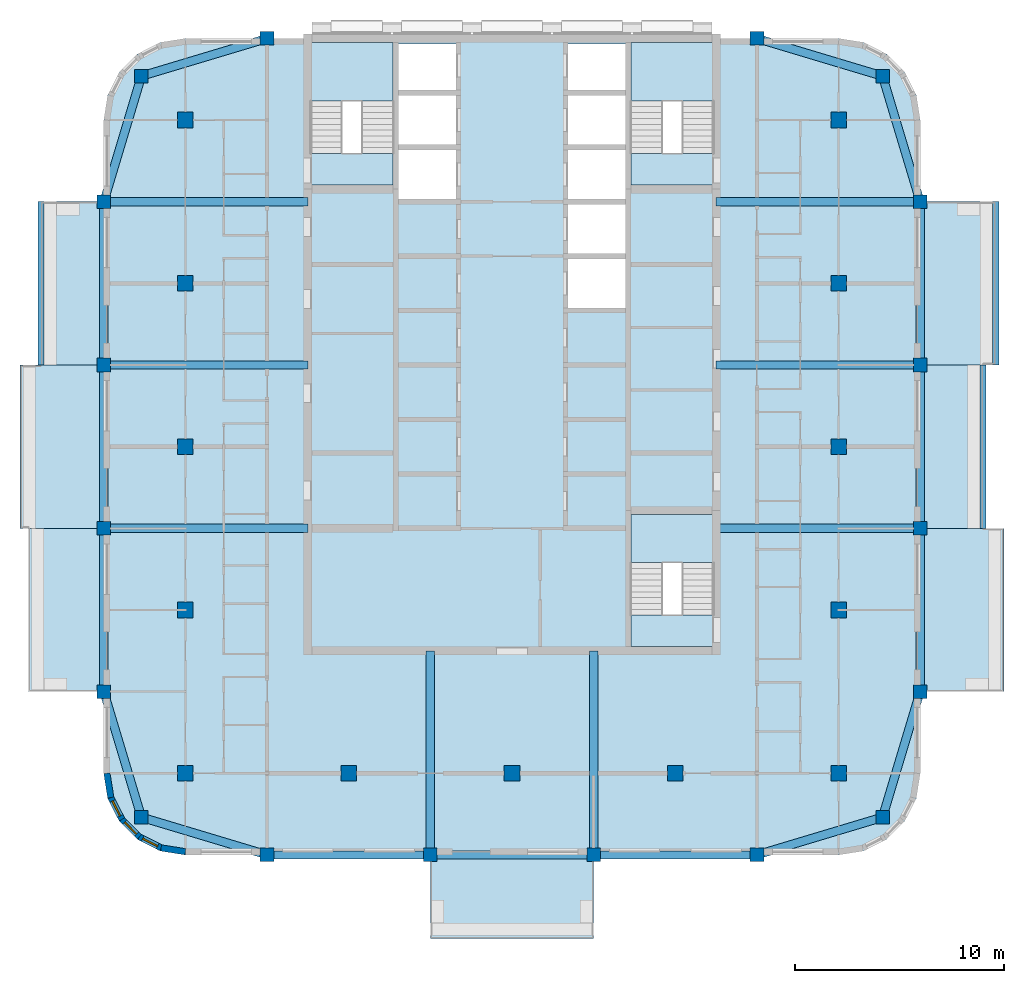
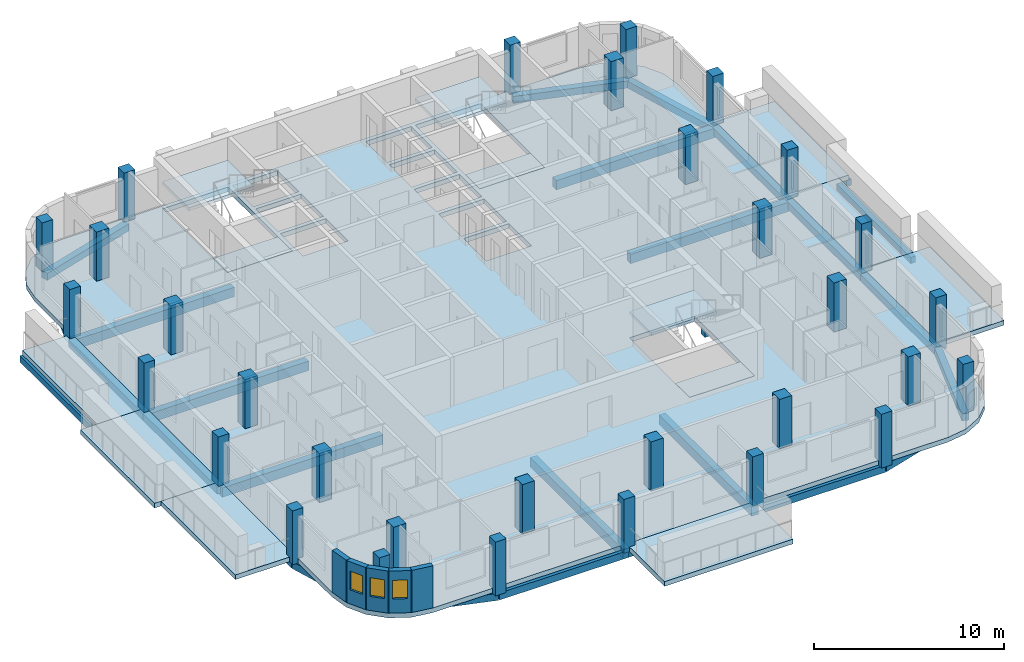
# One storey, part 1 of 13: 31 columns, 28 beams, 14 slabs, 5 walls, 3 windows, 3 openings, 3 elements without a shape of their own.
"""IFC4 building model written with IfcOpenShell, lengths in metres."""

import ifcopenshell
import ifcopenshell.guid

model = None  # the IFC model being written
_history = None  # IfcOwnerHistory: only IFC2X3 demands one
_inside = {}  # id of a spatial element -> (the spatial element, [elements in it])
_under = {}  # id of a project, library or spatial element -> (it, [spatial elements below it])
_declared = {}  # id of a project -> (the project, [libraries it declares])
_typed = {}  # id of a type object -> (the type object, [elements of that type])
_made_of = {}  # id of a material, layer set ... -> (it, [elements and type objects made of it])


def new_model(schema):
    """Start an empty IFC model of exactly this schema.

    Asked for "IFC4X3", IfcOpenShell would pick the latest addendum, in which some entities
    have other attributes; the version numbers below select the first issue.
    IFC2X3 requires an IfcOwnerHistory on every rooted entity: one is made here for all.
    """
    global model, _history
    if schema == "IFC4X3":
        model = ifcopenshell.file(schema_version=(4, 3, 0, 0))
    else:
        model = ifcopenshell.file(schema=schema)
    _inside.clear()
    _under.clear()
    _declared.clear()
    _typed.clear()
    _made_of.clear()
    _history = None
    if model.schema == "IFC2X3":
        org = make("IfcOrganization", Name="unknown")
        user = make(
            "IfcPersonAndOrganization",
            ThePerson=make("IfcPerson", FamilyName="unknown"),
            TheOrganization=org,
        )
        app = make(
            "IfcApplication",
            ApplicationDeveloper=org,
            Version="unknown",
            ApplicationFullName="unknown",
            ApplicationIdentifier="unknown",
        )
        _history = make(
            "IfcOwnerHistory",
            OwningUser=user,
            OwningApplication=app,
            ChangeAction="ADDED",
            CreationDate=0,
        )
    return model


def make(cls, **values):
    """One entity of the class cls with the attributes given. An attribute that is None is left unset."""
    return model.create_entity(
        cls, **{name: value for name, value in values.items() if value is not None}
    )


def rooted(cls, **values):
    """An entity with a GlobalId (a new one), such as an element, a storey or a relation."""
    return make(cls, GlobalId=ifcopenshell.guid.new(), OwnerHistory=_history, **values)


def si_unit(unit_type, name, prefix=None):
    """IfcSIUnit, for example si_unit("LENGTHUNIT", "METRE", prefix="MILLI")."""
    return make("IfcSIUnit", UnitType=unit_type, Prefix=prefix, Name=name)


def assignment(units):
    """IfcUnitAssignment: the units of a project."""
    return None if units is None else make("IfcUnitAssignment", Units=units)


def point(xyz):
    """IfcCartesianPoint."""
    return None if xyz is None else make("IfcCartesianPoint", Coordinates=xyz)


def direction(xyz):
    """IfcDirection."""
    return None if xyz is None else make("IfcDirection", DirectionRatios=xyz)


def frame(location, z_axis=None, x_axis=None):
    """IfcAxis2Placement3D, a coordinate frame: its origin and axes. An axis left out is left unset."""
    return make(
        "IfcAxis2Placement3D",
        Location=point(location),
        Axis=direction(z_axis),
        RefDirection=direction(x_axis),
    )


def frame_2d(location, x_axis=None):
    """IfcAxis2Placement2D, a coordinate frame in the plane: its origin and x axis."""
    return make(
        "IfcAxis2Placement2D", Location=point(location), RefDirection=direction(x_axis)
    )


def origin():
    """The frame at (0, 0, 0) with its axes left unset."""
    return frame((0.0, 0.0, 0.0))


def origin_2d():
    """The frame at (0, 0) in the plane with its x axis left unset."""
    return frame_2d((0.0, 0.0))


def place(relative_to, where):
    """IfcLocalPlacement: puts the frame where relative to a parent placement (None: the world)."""
    return make(
        "IfcLocalPlacement", PlacementRelTo=relative_to, RelativePlacement=where
    )


def context(
    kind, dimensions, precision=None, world=None, true_north=None, identifier=None
):
    """IfcGeometricRepresentationContext, for example the 3D "Model" context."""
    return make(
        "IfcGeometricRepresentationContext",
        ContextIdentifier=identifier,
        ContextType=kind,
        CoordinateSpaceDimension=dimensions,
        Precision=precision,
        WorldCoordinateSystem=world,
        TrueNorth=true_north,
    )


def subcontext(parent, identifier, kind, view, scale=None):
    """IfcGeometricRepresentationSubContext, for example "Body" below "Model"."""
    return make(
        "IfcGeometricRepresentationSubContext",
        ContextIdentifier=identifier,
        ContextType=kind,
        ParentContext=parent,
        TargetScale=scale,
        TargetView=view,
    )


def project(units=None, contexts=None):
    """IfcProject with its units and contexts."""
    return rooted(
        "IfcProject",
        Name="project",
        RepresentationContexts=contexts,
        UnitsInContext=assignment(units),
    )


def spatial(cls, under=None, at=None, **own):
    """A site, building, storey or space (cls), placed at a placement, below another one or the project."""
    s = rooted(cls, ObjectPlacement=at, **own)
    if under is not None:
        _under.setdefault(under.id(), (under, []))[1].append(s)
    return s


def polyline(points):
    """IfcPolyline through the points."""
    return make("IfcPolyline", Points=[point(p) for p in points])


def profile(cls, at=None, kind="AREA", **sizes):
    """A parametric profile (cls). Its sizes go by their IFC names, for example OverallWidth=200.0."""
    return make(cls, ProfileType=kind, Position=at, **sizes)


def rectangle(**sizes):
    """IfcRectangleProfileDef."""
    return profile("IfcRectangleProfileDef", **sizes)


def outline(outer, holes=None, kind="AREA"):
    """IfcArbitraryClosedProfileDef: a profile drawn as a closed curve; with holes, ...WithVoids."""
    if holes is None:
        return make("IfcArbitraryClosedProfileDef", ProfileType=kind, OuterCurve=outer)
    return make(
        "IfcArbitraryProfileDefWithVoids",
        ProfileType=kind,
        OuterCurve=outer,
        InnerCurves=holes,
    )


def extrude(swept, where, along, depth):
    """IfcExtrudedAreaSolid: the profile swept, set in the frame where, extruded along a direction by depth."""
    return make(
        "IfcExtrudedAreaSolid",
        SweptArea=swept,
        Position=where,
        ExtrudedDirection=direction(along),
        Depth=depth,
    )


def shape(context_of_items, identifier, shape_type, items):
    """IfcShapeRepresentation: the items that make up one representation, for example the "Body"."""
    return make(
        "IfcShapeRepresentation",
        ContextOfItems=context_of_items,
        RepresentationIdentifier=identifier,
        RepresentationType=shape_type,
        Items=items,
    )


def material(Name=None, Category=None):
    """IfcMaterial."""
    return make("IfcMaterial", Name=Name, Category=Category)


def layer(
    of_material, thickness, ventilated=None, Name=None, Category=None, Priority=None
):
    """IfcMaterialLayer: one layer of a wall or slab, of a material (None: an air gap)."""
    return make(
        "IfcMaterialLayer",
        Material=of_material,
        LayerThickness=thickness,
        IsVentilated=ventilated,
        Name=Name,
        Category=Category,
        Priority=Priority,
    )


def layer_set(layers, Name=None):
    """IfcMaterialLayerSet."""
    return make("IfcMaterialLayerSet", MaterialLayers=layers, LayerSetName=Name)


def material_profile(
    of_material, cross_section, Name=None, Category=None, Priority=None
):
    """IfcMaterialProfile: a cross section and its material."""
    return make(
        "IfcMaterialProfile",
        Name=Name,
        Material=of_material,
        Profile=cross_section,
        Priority=Priority,
        Category=Category,
    )


def profile_set(profiles, Name=None, composite=None):
    """IfcMaterialProfileSet."""
    return make(
        "IfcMaterialProfileSet",
        Name=Name,
        MaterialProfiles=profiles,
        CompositeProfile=composite,
    )


def made_of(thing, what):
    """Note that an element or type object is made of a material, layer set ...; save() writes the relation."""
    if what is not None:
        _made_of.setdefault(what.id(), (what, []))[1].append(thing)
    return thing


def type_object(cls, material=None, **own):
    """A type object (cls), such as IfcWallType, which elements share."""
    return made_of(rooted(cls, **own), material)


def element(
    cls,
    number,
    at=None,
    inside=None,
    cuts=None,
    type_object=None,
    material=None,
    context=None,
    identifier="Body",
    shape_type=None,
    held_by="IfcProductDefinitionShape",
    body=None,
    shapes=None,
    **own,
):
    """One element of the class cls, such as IfcWall. Its Tag is "e" and its number.

    at: its placement. inside: the storey or other place that contains it. cuts: it is an
    opening in that element (IfcRelVoidsElement). A single representation is given by context,
    identifier, shape_type and body (its items); several are given by shapes. held_by: the class
    of the entity that holds the representations. save() writes the other relations.
    """
    e = rooted(cls, Tag="e%d" % number, ObjectPlacement=at, **own)
    if body is not None:
        shapes = [shape(context, identifier, shape_type, body)]
    if shapes is not None:
        e.Representation = make(held_by, Representations=shapes)
    if inside is not None:
        _inside.setdefault(inside.id(), (inside, []))[1].append(e)
    if cuts is not None:
        rooted(
            "IfcRelVoidsElement", RelatingBuildingElement=cuts, RelatedOpeningElement=e
        )
    if type_object is not None:
        _typed.setdefault(type_object.id(), (type_object, []))[1].append(e)
    return made_of(e, material)


def fill(opening, filler):
    """IfcRelFillsElement: the door or window that sits in an opening."""
    return rooted(
        "IfcRelFillsElement",
        RelatingOpeningElement=opening,
        RelatedBuildingElement=filler,
    )


def aggregate(whole, parts):
    """IfcRelAggregates: a whole, such as a stair, and the parts it consists of."""
    return rooted("IfcRelAggregates", RelatingObject=whole, RelatedObjects=parts)


def save(model, path):
    """Write the relations noted so far, then the file.

    IfcRelAggregates (storeys below a building ...), IfcRelContainedInSpatialStructure (elements
    in a storey), IfcRelDefinesByType, IfcRelAssociatesMaterial and IfcRelDeclares: one each for
    every whole, place, type object, material and project.
    """
    for whole, parts in _under.values():
        aggregate(whole, parts)
    for where, things in _inside.values():
        rooted(
            "IfcRelContainedInSpatialStructure",
            RelatedElements=things,
            RelatingStructure=where,
        )
    for kind, things in _typed.values():
        rooted("IfcRelDefinesByType", RelatedObjects=things, RelatingType=kind)
    for what, things in _made_of.values():
        rooted("IfcRelAssociatesMaterial", RelatedObjects=things, RelatingMaterial=what)
    for by, libraries in _declared.values():
        rooted("IfcRelDeclares", RelatingContext=by, RelatedDefinitions=libraries)
    model.write(path)


model = new_model("IFC4")

# Units and contexts
model_context = context("Model", 3, precision=1e-05, world=origin(), true_north=direction((0.0, 1.0)))
body_context = subcontext(model_context, "Body", "Model", "MODEL_VIEW")
ifc_project = project(units=[si_unit("LENGTHUNIT", "METRE"), si_unit("AREAUNIT", "SQUARE_METRE"), si_unit("VOLUMEUNIT", "CUBIC_METRE"), si_unit("PLANEANGLEUNIT", "RADIAN"), si_unit("MASSUNIT", "GRAM", prefix="KILO")], contexts=[model_context])

# Site, building, storey
site_placement = place(None, origin())
site = spatial("IfcSite", under=ifc_project, at=site_placement, CompositionType="ELEMENT")
building_placement = place(site_placement, origin())
building = spatial("IfcBuilding", under=site, at=building_placement, Name="Ludao Terraces", CompositionType="ELEMENT")
storey_placement = place(building_placement, frame((0.0, 0.0, 246.0)))
storey = spatial("IfcBuildingStorey", under=building, at=storey_placement, Name="L67", CompositionType="ELEMENT", Elevation=246.0)

# Columns
ifc_material_1 = material(Name="Concrete C40", Category="concrete")
ifc_material_profile_1 = material_profile(ifc_material_1, rectangle(XDim=0.64990234375, YDim=0.64990234375, at=origin_2d()), Name="650 X 650")
ifc_profile_set_1 = profile_set([ifc_material_profile_1], Name="Concrete C40")
column_type_1 = type_object("IfcColumnType", Name="RC column 650x650 C40", PredefinedType="COLUMN", material=ifc_profile_set_1)
for number, where, z_axis, x_axis, name in (
    (1, (67.300048828125, 47.300048828125, -0.300048828125), (0.0, 0.0, 1.0), (1.0, 0.0, 0.0), "Column L67 C0057x0057"),
    (2, (102.699951171875, 47.300048828125, -0.300048828125), (0.0, 0.0, 1.0), (1.0, 0.0, 0.0), "Column L67 C0411x0057"),
    (3, (67.300048828125, 82.699951171875, -0.300048828125), (0.0, 0.0, 1.0), (1.0, 0.0, 0.0), "Column L67 C0057x0411"),
    (4, (102.699951171875, 82.699951171875, -0.300048828125), (0.0, 0.0, 1.0), (1.0, 0.0, 0.0), "Column L67 C0411x0411"),
    (5, (65.5, 53.300048828125, -0.300048828125), (0.0, 0.0, 1.0), (1.0, 0.0, 0.0), "Column L67 W0039x0117"),
    (6, (104.5, 53.300048828125, -0.300048828125), (0.0, 0.0, 1.0), (1.0, 0.0, 0.0), "Column L67 W0429x0117"),
    (7, (73.300048828125, 45.5, -0.300048828125), (0.0, 0.0, 1.0), (1.0, 0.0, 0.0), "Column L67 W0117x0039"),
    (8, (73.300048828125, 84.5, -0.300048828125), (0.0, 0.0, 1.0), (1.0, 0.0, 0.0), "Column L67 W0117x0429"),
    (9, (65.5, 61.10009765625, -0.300048828125), (0.0, 0.0, 1.0), (1.0, 0.0, 0.0), "Column L67 W0039x0195"),
    (10, (104.5, 61.10009765625, -0.300048828125), (0.0, 0.0, 1.0), (1.0, 0.0, 0.0), "Column L67 W0429x0195"),
    (11, (81.10009765625, 45.5, -0.300048828125), (0.0, 0.0, 1.0), (1.0, 0.0, 0.0), "Column L67 W0195x0039"),
    (12, (65.5, 68.89990234375, -0.300048828125), (0.0, 0.0, 1.0), (1.0, 0.0, 0.0), "Column L67 W0039x0273"),
    (13, (104.5, 68.89990234375, -0.300048828125), (0.0, 0.0, 1.0), (1.0, 0.0, 0.0), "Column L67 W0429x0273"),
    (14, (88.89990234375, 45.5, -0.300048828125), (0.0, 0.0, 1.0), (1.0, 0.0, 0.0), "Column L67 W0273x0039"),
    (15, (65.5, 76.699951171875, -0.300048828125), (0.0, 0.0, 1.0), (1.0, 0.0, 0.0), "Column L67 W0039x0351"),
    (16, (104.5, 76.699951171875, -0.300048828125), (0.0, 0.0, 1.0), (1.0, 0.0, 0.0), "Column L67 W0429x0351"),
    (17, (96.699951171875, 45.5, -0.300048828125), (0.0, 0.0, 1.0), (1.0, 0.0, 0.0), "Column L67 W0351x0039"),
    (18, (96.699951171875, 84.5, -0.300048828125), (0.0, 0.0, 1.0), (1.0, 0.0, 0.0), "Column L67 W0351x0429"),
):
    element("IfcColumn", number, at=place(storey_placement, frame(where, z_axis=z_axis, x_axis=x_axis)), inside=storey, type_object=column_type_1, Name=name, PredefinedType="COLUMN", context=body_context, shape_type="SweptSolid", body=[
        extrude(rectangle(XDim=0.64990234375, YDim=0.64990234375, at=origin_2d()), origin(), (0.0, 0.0, 1.0), 3.449951171875),
    ])
ifc_material_profile_2 = material_profile(ifc_material_1, rectangle(XDim=0.75, YDim=0.75, at=origin_2d()), Name="750 X 750")
ifc_profile_set_2 = profile_set([ifc_material_profile_2], Name="Concrete C40")
column_type_2 = type_object("IfcColumnType", Name="RC column 750x750 C40", PredefinedType="COLUMN", material=ifc_profile_set_2)
for number, where, z_axis, x_axis, name in (
    (19, (69.39990234375, 49.39990234375, -0.300048828125), (0.0, 0.0, 1.0), (1.0, 0.0, 0.0), "Column L67 S0078x0078"),
    (20, (69.39990234375, 57.199951171875, -0.300048828125), (0.0, 0.0, 1.0), (1.0, 0.0, 0.0), "Column L67 S0078x0156"),
    (21, (69.39990234375, 65.0, -0.300048828125), (0.0, 0.0, 1.0), (1.0, 0.0, 0.0), "Column L67 S0078x0234"),
    (22, (69.39990234375, 72.800048828125, -0.300048828125), (0.0, 0.0, 1.0), (1.0, 0.0, 0.0), "Column L67 S0078x0312"),
    (23, (69.39990234375, 80.60009765625, -0.300048828125), (0.0, 0.0, 1.0), (1.0, 0.0, 0.0), "Column L67 S0078x0390"),
    (24, (77.199951171875, 49.39990234375, -0.300048828125), (0.0, 0.0, 1.0), (1.0, 0.0, 0.0), "Column L67 S0156x0078"),
    (25, (85.0, 49.39990234375, -0.300048828125), (0.0, 0.0, 1.0), (1.0, 0.0, 0.0), "Column L67 S0234x0078"),
    (26, (92.800048828125, 49.39990234375, -0.300048828125), (0.0, 0.0, 1.0), (1.0, 0.0, 0.0), "Column L67 S0312x0078"),
    (27, (100.60009765625, 49.39990234375, -0.300048828125), (0.0, 0.0, 1.0), (1.0, 0.0, 0.0), "Column L67 S0390x0078"),
    (28, (100.60009765625, 57.199951171875, -0.300048828125), (0.0, 0.0, 1.0), (1.0, 0.0, 0.0), "Column L67 S0390x0156"),
    (29, (100.60009765625, 65.0, -0.300048828125), (0.0, 0.0, 1.0), (1.0, 0.0, 0.0), "Column L67 S0390x0234"),
    (30, (100.60009765625, 72.800048828125, -0.300048828125), (0.0, 0.0, 1.0), (1.0, 0.0, 0.0), "Column L67 S0390x0312"),
    (31, (100.60009765625, 80.60009765625, -0.300048828125), (0.0, 0.0, 1.0), (1.0, 0.0, 0.0), "Column L67 S0390x0390"),
):
    element("IfcColumn", number, at=place(storey_placement, frame(where, z_axis=z_axis, x_axis=x_axis)), inside=storey, type_object=column_type_2, Name=name, PredefinedType="COLUMN", context=body_context, shape_type="SweptSolid", body=[
        extrude(rectangle(XDim=0.75, YDim=0.75, at=origin_2d()), origin(), (0.0, 0.0, 1.0), 3.449951171875),
    ])

# Beams
ifc_material_profile_3 = material_profile(ifc_material_1, rectangle(XDim=0.300048828125, YDim=0.39990234375, at=origin_2d()), Name="300 X 400")
ifc_profile_set_3 = profile_set([ifc_material_profile_3], Name="Concrete C40")
beam_type_1 = type_object("IfcBeamType", Name="RC beam 300x400 C40", PredefinedType="BEAM", material=ifc_profile_set_3)
beam_1_placement = place(storey_placement, frame((107.5, 61.10009765625, -0.5), z_axis=(0.0, 1.0, 0.0), x_axis=(-1.0, 0.0, 0.0)))
element("IfcBeam", 32, at=beam_1_placement, inside=storey, type_object=beam_type_1, Name="Balcony edge beam L67 E2", PredefinedType="BEAM", context=body_context, shape_type="SweptSolid", body=[
    extrude(rectangle(XDim=0.300048828125, YDim=0.39990234375, at=origin_2d()), origin(), (0.0, 0.0, 1.0), 7.7998046875),
])
for number, where, z_axis, x_axis, name in (
    (33, (108.10009765625, 68.89990234375, -0.5), (0.0, 1.0, 0.0), (-1.0, 0.0, 0.0), "Balcony edge beam L67 E3"),
    (34, (62.5, 68.89990234375, -0.5), (0.0, 1.0, 0.0), (-1.0, 0.0, 0.0), "Balcony edge beam L67 W3"),
):
    element("IfcBeam", number, at=place(storey_placement, frame(where, z_axis=z_axis, x_axis=x_axis)), inside=storey, type_object=beam_type_1, Name=name, PredefinedType="BEAM", context=body_context, shape_type="SweptSolid", body=[
        extrude(rectangle(XDim=0.300048828125, YDim=0.39990234375, at=origin_2d()), origin(), (0.0, 0.0, 1.0), 7.800048828125),
    ])
ifc_material_profile_4 = material_profile(ifc_material_1, rectangle(XDim=0.39990234375, YDim=0.449951171875, at=origin_2d()), Name="400 X 450")
ifc_profile_set_4 = profile_set([ifc_material_profile_4], Name="Concrete C40")
beam_type_2 = type_object("IfcBeamType", Name="RC beam 400x450 C40", PredefinedType="BEAM", material=ifc_profile_set_4)
beam_2_placement = place(storey_placement, frame((67.300048828125, 47.300048828125, -0.52490234375), z_axis=(0.957824139839, -0.287355036744, 0.0), x_axis=(0.287355036744, 0.957824139839, 0.0)))
element("IfcBeam", 35, at=beam_2_placement, inside=storey, type_object=beam_type_2, Name="Spandrel beam L67 S1", PredefinedType="BEAM", context=body_context, shape_type="SweptSolid", body=[
    extrude(rectangle(XDim=0.39990234375, YDim=0.449951171875, at=origin_2d()), origin(), (0.0, 0.0, 1.0), 6.26416015625),
])
beam_3_placement = place(storey_placement, frame((73.300048828125, 45.5, -0.52490234375), z_axis=(1.0, 0.0, 0.0), x_axis=(0.0, 1.0, 0.0)))
element("IfcBeam", 36, at=beam_3_placement, inside=storey, type_object=beam_type_2, Name="Spandrel beam L67 S2", PredefinedType="BEAM", context=body_context, shape_type="SweptSolid", body=[
    extrude(rectangle(XDim=0.39990234375, YDim=0.449951171875, at=origin_2d()), origin(), (0.0, 0.0, 1.0), 7.800048828125),
])
beam_4_placement = place(storey_placement, frame((81.10009765625, 45.5, -0.52490234375), z_axis=(1.0, 0.0, 0.0), x_axis=(0.0, 1.0, 0.0)))
element("IfcBeam", 37, at=beam_4_placement, inside=storey, type_object=beam_type_2, Name="Spandrel beam L67 S3", PredefinedType="BEAM", context=body_context, shape_type="SweptSolid", body=[
    extrude(rectangle(XDim=0.39990234375, YDim=0.449951171875, at=origin_2d()), origin(), (0.0, 0.0, 1.0), 7.7998046875),
])
beam_5_placement = place(storey_placement, frame((88.89990234375, 45.5, -0.52490234375), z_axis=(1.0, 0.0, 0.0), x_axis=(0.0, 1.0, 0.0)))
element("IfcBeam", 38, at=beam_5_placement, inside=storey, type_object=beam_type_2, Name="Spandrel beam L67 S4", PredefinedType="BEAM", context=body_context, shape_type="SweptSolid", body=[
    extrude(rectangle(XDim=0.39990234375, YDim=0.449951171875, at=origin_2d()), origin(), (0.0, 0.0, 1.0), 7.800048828125),
])
for number, where, z_axis, x_axis, name in (
    (39, (96.699951171875, 45.5, -0.52490234375), (0.957824139839, 0.287355036744, 0.0), (-0.287355036744, 0.957824139839, 0.0), "Spandrel beam L67 S5"),
    (40, (67.300048828125, 82.699951171875, -0.52490234375), (0.957824139839, 0.287355036744, 0.0), (-0.287355036744, 0.957824139839, 0.0), "Spandrel beam L67 N6"),
    (41, (96.699951171875, 84.5, -0.52490234375), (0.957824139839, -0.287355036744, 0.0), (0.287355036744, 0.957824139839, 0.0), "Spandrel beam L67 N7"),
    (42, (67.300048828125, 47.300048828125, -0.52490234375), (-0.287355036744, 0.957824139839, 0.0), (-0.957824139839, -0.287355036744, 0.0), "Spandrel beam L67 W8"),
):
    element("IfcBeam", number, at=place(storey_placement, frame(where, z_axis=z_axis, x_axis=x_axis)), inside=storey, type_object=beam_type_2, Name=name, PredefinedType="BEAM", context=body_context, shape_type="SweptSolid", body=[
        extrude(rectangle(XDim=0.39990234375, YDim=0.449951171875, at=origin_2d()), origin(), (0.0, 0.0, 1.0), 6.26416015625),
    ])
beam_6_placement = place(storey_placement, frame((65.5, 53.300048828125, -0.52490234375), z_axis=(0.0, 1.0, 0.0), x_axis=(-1.0, 0.0, 0.0)))
element("IfcBeam", 43, at=beam_6_placement, inside=storey, type_object=beam_type_2, Name="Spandrel beam L67 W9", PredefinedType="BEAM", context=body_context, shape_type="SweptSolid", body=[
    extrude(rectangle(XDim=0.39990234375, YDim=0.449951171875, at=origin_2d()), origin(), (0.0, 0.0, 1.0), 7.800048828125),
])
beam_7_placement = place(storey_placement, frame((65.5, 61.10009765625, -0.52490234375), z_axis=(0.0, 1.0, 0.0), x_axis=(-1.0, 0.0, 0.0)))
element("IfcBeam", 44, at=beam_7_placement, inside=storey, type_object=beam_type_2, Name="Spandrel beam L67 W10", PredefinedType="BEAM", context=body_context, shape_type="SweptSolid", body=[
    extrude(rectangle(XDim=0.39990234375, YDim=0.449951171875, at=origin_2d()), origin(), (0.0, 0.0, 1.0), 7.7998046875),
])
beam_8_placement = place(storey_placement, frame((65.5, 68.89990234375, -0.52490234375), z_axis=(0.0, 1.0, 0.0), x_axis=(-1.0, 0.0, 0.0)))
element("IfcBeam", 45, at=beam_8_placement, inside=storey, type_object=beam_type_2, Name="Spandrel beam L67 W11", PredefinedType="BEAM", context=body_context, shape_type="SweptSolid", body=[
    extrude(rectangle(XDim=0.39990234375, YDim=0.449951171875, at=origin_2d()), origin(), (0.0, 0.0, 1.0), 7.800048828125),
])
for number, where, z_axis, x_axis, name in (
    (46, (65.5, 76.699951171875, -0.52490234375), (0.287355036744, 0.957824139839, 0.0), (-0.957824139839, 0.287355036744, 0.0), "Spandrel beam L67 W12"),
    (47, (102.699951171875, 47.300048828125, -0.52490234375), (0.287355036744, 0.957824139839, 0.0), (-0.957824139839, 0.287355036744, 0.0), "Spandrel beam L67 E13"),
):
    element("IfcBeam", number, at=place(storey_placement, frame(where, z_axis=z_axis, x_axis=x_axis)), inside=storey, type_object=beam_type_2, Name=name, PredefinedType="BEAM", context=body_context, shape_type="SweptSolid", body=[
        extrude(rectangle(XDim=0.39990234375, YDim=0.449951171875, at=origin_2d()), origin(), (0.0, 0.0, 1.0), 6.26416015625),
    ])
beam_9_placement = place(storey_placement, frame((104.5, 53.300048828125, -0.52490234375), z_axis=(0.0, 1.0, 0.0), x_axis=(-1.0, 0.0, 0.0)))
element("IfcBeam", 48, at=beam_9_placement, inside=storey, type_object=beam_type_2, Name="Spandrel beam L67 E14", PredefinedType="BEAM", context=body_context, shape_type="SweptSolid", body=[
    extrude(rectangle(XDim=0.39990234375, YDim=0.449951171875, at=origin_2d()), origin(), (0.0, 0.0, 1.0), 7.800048828125),
])
beam_10_placement = place(storey_placement, frame((104.5, 61.10009765625, -0.52490234375), z_axis=(0.0, 1.0, 0.0), x_axis=(-1.0, 0.0, 0.0)))
element("IfcBeam", 49, at=beam_10_placement, inside=storey, type_object=beam_type_2, Name="Spandrel beam L67 E15", PredefinedType="BEAM", context=body_context, shape_type="SweptSolid", body=[
    extrude(rectangle(XDim=0.39990234375, YDim=0.449951171875, at=origin_2d()), origin(), (0.0, 0.0, 1.0), 7.7998046875),
])
beam_11_placement = place(storey_placement, frame((104.5, 68.89990234375, -0.52490234375), z_axis=(0.0, 1.0, 0.0), x_axis=(-1.0, 0.0, 0.0)))
element("IfcBeam", 50, at=beam_11_placement, inside=storey, type_object=beam_type_2, Name="Spandrel beam L67 E16", PredefinedType="BEAM", context=body_context, shape_type="SweptSolid", body=[
    extrude(rectangle(XDim=0.39990234375, YDim=0.449951171875, at=origin_2d()), origin(), (0.0, 0.0, 1.0), 7.800048828125),
])
beam_12_placement = place(storey_placement, frame((104.5, 76.699951171875, -0.52490234375), z_axis=(-0.287355036744, 0.957824139839, 0.0), x_axis=(-0.957824139839, -0.287355036744, 0.0)))
element("IfcBeam", 51, at=beam_12_placement, inside=storey, type_object=beam_type_2, Name="Spandrel beam L67 E17", PredefinedType="BEAM", context=body_context, shape_type="SweptSolid", body=[
    extrude(rectangle(XDim=0.39990234375, YDim=0.449951171875, at=origin_2d()), origin(), (0.0, 0.0, 1.0), 6.26416015625),
])
ifc_material_profile_5 = material_profile(ifc_material_1, rectangle(XDim=0.39990234375, YDim=0.60009765625, at=origin_2d()), Name="400 X 600")
ifc_profile_set_5 = profile_set([ifc_material_profile_5], Name="Concrete C40")
beam_type_3 = type_object("IfcBeamType", Name="RC beam 400x600 C40", PredefinedType="BEAM", material=ifc_profile_set_5)
for number, where, z_axis, x_axis, name in (
    (52, (94.75, 61.10009765625, -0.60009765625), (1.0, 0.0, 0.0), (0.0, 1.0, 0.0), "Balcony beam L67 E611"),
    (53, (94.75, 68.89990234375, -0.60009765625), (1.0, 0.0, 0.0), (0.0, 1.0, 0.0), "Balcony beam L67 E689"),
    (54, (94.75, 76.699951171875, -0.60009765625), (1.0, 0.0, 0.0), (0.0, 1.0, 0.0), "Balcony beam L67 E767"),
    (55, (81.10009765625, 55.25, -0.60009765625), (0.0, -1.0, 0.0), (1.0, 0.0, 0.0), "Balcony beam L67 S811"),
    (56, (88.89990234375, 55.25, -0.60009765625), (0.0, -1.0, 0.0), (1.0, 0.0, 0.0), "Balcony beam L67 S889"),
    (57, (75.25, 61.10009765625, -0.60009765625), (-1.0, 0.0, 0.0), (0.0, -1.0, 0.0), "Balcony beam L67 W611"),
    (58, (75.25, 68.89990234375, -0.60009765625), (-1.0, 0.0, 0.0), (0.0, -1.0, 0.0), "Balcony beam L67 W689"),
    (59, (75.25, 76.699951171875, -0.60009765625), (-1.0, 0.0, 0.0), (0.0, -1.0, 0.0), "Balcony beam L67 W767"),
):
    element("IfcBeam", number, at=place(storey_placement, frame(where, z_axis=z_axis, x_axis=x_axis)), inside=storey, type_object=beam_type_3, Name=name, PredefinedType="BEAM", context=body_context, shape_type="SweptSolid", body=[
        extrude(rectangle(XDim=0.39990234375, YDim=0.60009765625, at=origin_2d()), origin(), (0.0, 0.0, 1.0), 9.75),
    ])

# Slabs
ifc_layer_1 = layer(ifc_material_1, 0.300048828125)
ifc_layer_set_1 = layer_set([ifc_layer_1], Name="Balcony slab 300 C40")
slab_type_1 = type_object("IfcSlabType", Name="Balcony slab 300 C40", PredefinedType="USERDEFINED", material=ifc_layer_set_1)
slab_1_placement = place(storey_placement, frame((0.0, 0.0, -0.300048828125)))
element("IfcSlab", 60, at=slab_1_placement, inside=storey, type_object=slab_type_1, Name="Balcony L67 S1", ObjectType="BALCONY", PredefinedType="USERDEFINED", context=body_context, shape_type="SweptSolid", body=[
    extrude(outline(polyline([(81.10009765625, 41.5), (88.89990234375, 41.5), (88.89990234375, 45.5), (81.10009765625, 45.5), (81.10009765625, 41.5)])), origin(), (0.0, 0.0, 1.0), 0.300048828125),
])
slab_2_placement = place(storey_placement, frame((0.0, 0.0, -0.300048828125)))
element("IfcSlab", 61, at=slab_2_placement, inside=storey, type_object=slab_type_1, Name="Balcony L67 E1", ObjectType="BALCONY", PredefinedType="USERDEFINED", context=body_context, shape_type="SweptSolid", body=[
    extrude(outline(polyline([(104.5, 53.300048828125), (108.5, 53.300048828125), (108.5, 61.10009765625), (104.5, 61.10009765625), (104.5, 53.300048828125)])), origin(), (0.0, 0.0, 1.0), 0.300048828125),
])
slab_3_placement = place(storey_placement, frame((0.0, 0.0, -0.300048828125)))
element("IfcSlab", 62, at=slab_3_placement, inside=storey, type_object=slab_type_1, Name="Balcony L67 E2", ObjectType="BALCONY", PredefinedType="USERDEFINED", context=body_context, shape_type="SweptSolid", body=[
    extrude(outline(polyline([(104.5, 61.10009765625), (107.5, 61.10009765625), (107.5, 68.89990234375), (104.5, 68.89990234375), (104.5, 61.10009765625)])), origin(), (0.0, 0.0, 1.0), 0.300048828125),
])
slab_4_placement = place(storey_placement, frame((0.0, 0.0, -0.300048828125)))
element("IfcSlab", 63, at=slab_4_placement, inside=storey, type_object=slab_type_1, Name="Balcony L67 E3", ObjectType="BALCONY", PredefinedType="USERDEFINED", context=body_context, shape_type="SweptSolid", body=[
    extrude(outline(polyline([(104.5, 68.89990234375), (108.10009765625, 68.89990234375), (108.10009765625, 76.699951171875), (104.5, 76.699951171875), (104.5, 68.89990234375)])), origin(), (0.0, 0.0, 1.0), 0.300048828125),
])
slab_5_placement = place(storey_placement, frame((0.0, 0.0, -0.300048828125)))
element("IfcSlab", 64, at=slab_5_placement, inside=storey, type_object=slab_type_1, Name="Balcony L67 W1", ObjectType="BALCONY", PredefinedType="USERDEFINED", context=body_context, shape_type="SweptSolid", body=[
    extrude(outline(polyline([(61.89990234375, 53.300048828125), (65.5, 53.300048828125), (65.5, 61.10009765625), (61.89990234375, 61.10009765625), (61.89990234375, 53.300048828125)])), origin(), (0.0, 0.0, 1.0), 0.300048828125),
])
slab_6_placement = place(storey_placement, frame((0.0, 0.0, -0.300048828125)))
element("IfcSlab", 65, at=slab_6_placement, inside=storey, type_object=slab_type_1, Name="Balcony L67 W2", ObjectType="BALCONY", PredefinedType="USERDEFINED", context=body_context, shape_type="SweptSolid", body=[
    extrude(outline(polyline([(61.5, 61.10009765625), (65.5, 61.10009765625), (65.5, 68.89990234375), (61.5, 68.89990234375), (61.5, 61.10009765625)])), origin(), (0.0, 0.0, 1.0), 0.300048828125),
])
slab_7_placement = place(storey_placement, frame((0.0, 0.0, -0.300048828125)))
element("IfcSlab", 66, at=slab_7_placement, inside=storey, type_object=slab_type_1, Name="Balcony L67 W3", ObjectType="BALCONY", PredefinedType="USERDEFINED", context=body_context, shape_type="SweptSolid", body=[
    extrude(outline(polyline([(62.5, 68.89990234375), (65.5, 68.89990234375), (65.5, 76.699951171875), (62.5, 76.699951171875), (62.5, 68.89990234375)])), origin(), (0.0, 0.0, 1.0), 0.300048828125),
])
ifc_layer_2 = layer(ifc_material_1, 0.300048828125)
ifc_layer_set_2 = layer_set([ifc_layer_2], Name="Floor slab 300 C40")
slab_type_2 = type_object("IfcSlabType", Name="Floor slab 300 C40", PredefinedType="FLOOR", material=ifc_layer_set_2)
slab_8_placement = place(storey_placement, frame((0.0, 0.0, -0.300048828125)))
element("IfcSlab", 67, at=slab_8_placement, inside=storey, type_object=slab_type_2, Name="Slab L67", PredefinedType="FLOOR", context=body_context, shape_type="SweptSolid", body=[
    extrude(outline(polyline([(100.60009765625, 45.5), (101.80517578125, 45.69091796875), (102.892333984375, 46.244873046875), (103.755126953125, 47.107666015625), (104.30908203125, 48.19482421875), (104.5, 49.39990234375), (104.5, 80.60009765625), (104.30908203125, 81.80517578125), (103.755126953125, 82.892333984375), (102.892333984375, 83.755126953125), (101.80517578125, 84.30908203125), (100.60009765625, 84.5), (69.39990234375, 84.5), (68.19482421875, 84.30908203125), (67.107666015625, 83.755126953125), (66.244873046875, 82.892333984375), (65.69091796875, 81.80517578125), (65.5, 80.60009765625), (65.5, 49.39990234375), (65.69091796875, 48.19482421875), (66.244873046875, 47.107666015625), (67.107666015625, 46.244873046875), (68.19482421875, 45.69091796875), (69.39990234375, 45.5), (100.60009765625, 45.5)]), holes=[polyline([(79.574951171875, 76.824951171875), (82.324951171875, 76.824951171875), (82.324951171875, 79.175048828125), (79.574951171875, 79.175048828125), (79.574951171875, 76.824951171875)]), polyline([(79.574951171875, 79.425048828125), (82.324951171875, 79.425048828125), (82.324951171875, 81.77490234375), (79.574951171875, 81.77490234375), (79.574951171875, 79.425048828125)]), polyline([(79.574951171875, 82.02490234375), (82.324951171875, 82.02490234375), (82.324951171875, 84.239990234375), (79.574951171875, 84.239990234375), (79.574951171875, 82.02490234375)]), polyline([(87.675048828125, 71.625), (90.425048828125, 71.625), (90.425048828125, 73.97509765625), (87.675048828125, 73.97509765625), (87.675048828125, 71.625)]), polyline([(87.675048828125, 74.22509765625), (90.425048828125, 74.22509765625), (90.425048828125, 76.574951171875), (87.675048828125, 76.574951171875), (87.675048828125, 74.22509765625)]), polyline([(87.675048828125, 76.824951171875), (90.425048828125, 76.824951171875), (90.425048828125, 79.175048828125), (87.675048828125, 79.175048828125), (87.675048828125, 76.824951171875)]), polyline([(87.675048828125, 79.425048828125), (90.425048828125, 79.425048828125), (90.425048828125, 81.77490234375), (87.675048828125, 81.77490234375), (87.675048828125, 79.425048828125)]), polyline([(87.675048828125, 82.02490234375), (90.425048828125, 82.02490234375), (90.425048828125, 84.239990234375), (87.675048828125, 84.239990234375), (87.675048828125, 82.02490234375)]), polyline([(75.375, 77.5), (79.324951171875, 77.5), (79.324951171875, 84.239990234375), (75.375, 84.239990234375), (75.375, 77.5)]), polyline([(90.675048828125, 77.5), (94.625, 77.5), (94.625, 84.239990234375), (90.675048828125, 84.239990234375), (90.675048828125, 77.5)]), polyline([(90.675048828125, 55.449951171875), (94.625, 55.449951171875), (94.625, 61.75), (90.675048828125, 61.75), (90.675048828125, 55.449951171875)])]), origin(), (0.0, 0.0, 1.0), 0.300048828125),
])

# Stair, slabs
stair_type = type_object("IfcStairType", Name="INT Stair", PredefinedType="HALF_TURN_STAIR", material=ifc_material_1)
stair_1_placement = place(storey_placement, origin())
stair_1 = element("IfcStair", 68, at=stair_1_placement, inside=storey, type_object=stair_type, Name="EXIT STAIR 1", PredefinedType="HALF_TURN_STAIR")
ifc_layer_3 = layer(ifc_material_1, 0.199951171875)
ifc_layer_set_3 = layer_set([ifc_layer_3], Name="INT Stair landing 200")
slab_type_3 = type_object("IfcSlabType", Name="INT Stair landing 200", PredefinedType="LANDING", material=ifc_layer_set_3)
slab_9_placement = place(storey_placement, frame((0.0, 0.0, 1.5)))
slab_9 = element("IfcSlab", 69, at=slab_9_placement, type_object=slab_type_3, Name="ST1 landing 1", PredefinedType="LANDING", context=body_context, shape_type="SweptSolid", body=[
    extrude(outline(polyline([(75.375, 81.52001953125), (79.324951171875, 81.52001953125), (79.324951171875, 84.300048828125), (75.375, 84.300048828125), (75.375, 81.52001953125)])), origin(), (0.0, 0.0, 1.0), 0.199951171875),
])
slab_10_placement = place(storey_placement, frame((0.0, 0.0, -0.199951171875)))
slab_10 = element("IfcSlab", 70, at=slab_10_placement, type_object=slab_type_3, Name="ST1 landing 2", PredefinedType="LANDING", context=body_context, shape_type="SweptSolid", body=[
    extrude(outline(polyline([(75.375, 77.5), (79.324951171875, 77.5), (79.324951171875, 79.0), (75.375, 79.0), (75.375, 77.5)])), origin(), (0.0, 0.0, 1.0), 0.199951171875),
])
aggregate(stair_1, [slab_9, slab_10])

stair_2_placement = place(storey_placement, origin())
stair_2 = element("IfcStair", 71, at=stair_2_placement, inside=storey, type_object=stair_type, Name="EXIT STAIR 2", PredefinedType="HALF_TURN_STAIR")
slab_11_placement = place(storey_placement, frame((0.0, 0.0, 1.5)))
slab_11 = element("IfcSlab", 72, at=slab_11_placement, type_object=slab_type_3, Name="ST2 landing 1", PredefinedType="LANDING", context=body_context, shape_type="SweptSolid", body=[
    extrude(outline(polyline([(90.675048828125, 81.52001953125), (94.625, 81.52001953125), (94.625, 84.300048828125), (90.675048828125, 84.300048828125), (90.675048828125, 81.52001953125)])), origin(), (0.0, 0.0, 1.0), 0.199951171875),
])
slab_12_placement = place(storey_placement, frame((0.0, 0.0, -0.199951171875)))
slab_12 = element("IfcSlab", 73, at=slab_12_placement, type_object=slab_type_3, Name="ST2 landing 2", PredefinedType="LANDING", context=body_context, shape_type="SweptSolid", body=[
    extrude(outline(polyline([(90.675048828125, 77.5), (94.625, 77.5), (94.625, 79.0), (90.675048828125, 79.0), (90.675048828125, 77.5)])), origin(), (0.0, 0.0, 1.0), 0.199951171875),
])
aggregate(stair_2, [slab_11, slab_12])

stair_3_placement = place(storey_placement, origin())
stair_3 = element("IfcStair", 74, at=stair_3_placement, inside=storey, type_object=stair_type, Name="EXIT STAIR 3", PredefinedType="HALF_TURN_STAIR")
slab_13_placement = place(storey_placement, frame((0.0, 0.0, 1.5)))
slab_13 = element("IfcSlab", 75, at=slab_13_placement, type_object=slab_type_3, Name="ST3 landing 1", PredefinedType="LANDING", context=body_context, shape_type="SweptSolid", body=[
    extrude(outline(polyline([(90.675048828125, 59.469970703125), (94.625, 59.469970703125), (94.625, 61.75), (90.675048828125, 61.75), (90.675048828125, 59.469970703125)])), origin(), (0.0, 0.0, 1.0), 0.199951171875),
])
slab_14_placement = place(storey_placement, frame((0.0, 0.0, -0.199951171875)))
slab_14 = element("IfcSlab", 76, at=slab_14_placement, type_object=slab_type_3, Name="ST3 landing 2", PredefinedType="LANDING", context=body_context, shape_type="SweptSolid", body=[
    extrude(outline(polyline([(90.675048828125, 55.449951171875), (94.625, 55.449951171875), (94.625, 56.949951171875), (90.675048828125, 56.949951171875), (90.675048828125, 55.449951171875)])), origin(), (0.0, 0.0, 1.0), 0.199951171875),
])
aggregate(stair_3, [slab_13, slab_14])

# Wall
ifc_material_2 = material(Name="Granite cladding", Category="masonry")
ifc_layer_4 = layer(ifc_material_2, 0.0400390625, Category="stone")
ifc_material_3 = material(Name="Mineral wool")
ifc_layer_5 = layer(ifc_material_3, 0.06005859375)
ifc_layer_6 = layer(ifc_material_1, 0.199951171875, Category="concrete")
ifc_layer_set_4 = layer_set([ifc_layer_4, ifc_layer_5, ifc_layer_6], Name="ENV Stone-clad wall 300")
wall_type = type_object("IfcWallType", Name="ENV Stone-clad wall 300", PredefinedType="SOLIDWALL", material=ifc_layer_set_4)
wall_1_placement = place(storey_placement, frame((65.64990234375, 49.39990234375, 0.0), z_axis=(0.0, 0.0, 1.0), x_axis=(0.156496880861, -0.987678452879, 0.0)))
element("IfcWall", 77, at=wall_1_placement, inside=storey, type_object=wall_type, Name="EW-L67-SW1", PredefinedType="SOLIDWALL", context=body_context, shape_type="SweptSolid", body=[
    extrude(rectangle(XDim=1.173095703125, YDim=0.300048828125, at=frame_2d((0.58642578125, 0.0))), origin(), (0.0, 0.0, 1.0), 2.699951171875),
])

# Wall, opening, window
wall_2_placement = place(storey_placement, frame((65.83349609375, 48.2412109375, 0.0), z_axis=(0.0, 0.0, 1.0), x_axis=(0.454025524128, -0.890988677504, 0.0)))
wall_2 = element("IfcWall", 78, at=wall_2_placement, inside=storey, type_object=wall_type, Name="EW-L67-SW2", PredefinedType="SOLIDWALL", context=body_context, shape_type="SweptSolid", body=[
    extrude(rectangle(XDim=1.17333984375, YDim=0.300048828125, at=frame_2d((0.586669921875, 0.0))), origin(), (0.0, 0.0, 1.0), 2.699951171875),
])
opening_1_placement = place(wall_2_placement, frame((0.1865234375, 0.0, 0.89990234375)))
opening_1 = element("IfcOpeningElement", 79, at=opening_1_placement, cuts=wall_2, Name="Opening W3", PredefinedType="OPENING", context=body_context, shape_type="SweptSolid", body=[
    extrude(rectangle(XDim=0.800048828125, YDim=1.199951171875, at=frame_2d((0.39990234375, 0.60009765625))), frame((0.0, 0.16015625, 0.0), z_axis=(0.0, -1.0, 0.0), x_axis=(1.0, 0.0, 0.0)), (0.0, 0.0, 1.0), 0.320068359375),
])
ifc_material_4 = material(Name="Clear glass in aluminium frame", Category="aluminium")
ifc_layer_7 = layer(ifc_material_4, 0.06005859375)
ifc_layer_set_5 = layer_set([ifc_layer_7], Name="ENV Window W3 800x1200")
window_type = type_object("IfcWindowType", Name="ENV Window W3 800x1200", PartitioningType="SINGLE_PANEL", PredefinedType="WINDOW", material=ifc_layer_set_5)
window_1_placement = place(opening_1_placement, origin())
window_1 = element("IfcWindow", 80, at=window_1_placement, inside=storey, type_object=window_type, Name="W-L67-SW2", OverallHeight=1.199951171875, OverallWidth=0.800048828125, PartitioningType="SINGLE_PANEL", PredefinedType="WINDOW", context=body_context, shape_type="SweptSolid", body=[
    extrude(rectangle(XDim=0.800048828125, YDim=1.199951171875, at=frame_2d((0.39990234375, 0.60009765625))), frame((0.0, 0.030029296875, 0.0), z_axis=(0.0, -1.0, 0.0), x_axis=(1.0, 0.0, 0.0)), (0.0, 0.0, 1.0), 0.06005859375),
])
fill(opening_1, window_1)

wall_3_placement = place(storey_placement, frame((66.3662109375, 47.19580078125, 0.0), z_axis=(0.0, 0.0, 1.0), x_axis=(0.707106781187, -0.707106781187, 0.0)))
wall_3 = element("IfcWall", 81, at=wall_3_placement, inside=storey, type_object=wall_type, Name="EW-L67-SW3", PredefinedType="SOLIDWALL", context=body_context, shape_type="SweptSolid", body=[
    extrude(rectangle(XDim=1.173095703125, YDim=0.300048828125, at=frame_2d((0.58642578125, 0.0))), origin(), (0.0, 0.0, 1.0), 2.699951171875),
])
opening_2_placement = place(wall_3_placement, frame((0.1865234375, 0.0, 0.89990234375)))
opening_2 = element("IfcOpeningElement", 82, at=opening_2_placement, cuts=wall_3, Name="Opening W3", PredefinedType="OPENING", context=body_context, shape_type="SweptSolid", body=[
    extrude(rectangle(XDim=0.800048828125, YDim=1.199951171875, at=frame_2d((0.39990234375, 0.60009765625))), frame((0.0, 0.16015625, 0.0), z_axis=(0.0, -1.0, 0.0), x_axis=(1.0, 0.0, 0.0)), (0.0, 0.0, 1.0), 0.320068359375),
])
window_2_placement = place(opening_2_placement, origin())
window_2 = element("IfcWindow", 83, at=window_2_placement, inside=storey, type_object=window_type, Name="W-L67-SW3", OverallHeight=1.199951171875, OverallWidth=0.800048828125, PartitioningType="SINGLE_PANEL", PredefinedType="WINDOW", context=body_context, shape_type="SweptSolid", body=[
    extrude(rectangle(XDim=0.800048828125, YDim=1.199951171875, at=frame_2d((0.39990234375, 0.60009765625))), frame((0.0, 0.030029296875, 0.0), z_axis=(0.0, -1.0, 0.0), x_axis=(1.0, 0.0, 0.0)), (0.0, 0.0, 1.0), 0.06005859375),
])
fill(opening_2, window_2)

wall_4_placement = place(storey_placement, frame((67.19580078125, 46.3662109375, 0.0), z_axis=(0.0, 0.0, 1.0), x_axis=(0.890988677504, -0.454025524128, 0.0)))
wall_4 = element("IfcWall", 84, at=wall_4_placement, inside=storey, type_object=wall_type, Name="EW-L67-SW4", PredefinedType="SOLIDWALL", context=body_context, shape_type="SweptSolid", body=[
    extrude(rectangle(XDim=1.17333984375, YDim=0.300048828125, at=frame_2d((0.586669921875, 0.0))), origin(), (0.0, 0.0, 1.0), 2.699951171875),
])
opening_3_placement = place(wall_4_placement, frame((0.1865234375, 0.0, 0.89990234375)))
opening_3 = element("IfcOpeningElement", 85, at=opening_3_placement, cuts=wall_4, Name="Opening W3", PredefinedType="OPENING", context=body_context, shape_type="SweptSolid", body=[
    extrude(rectangle(XDim=0.800048828125, YDim=1.199951171875, at=frame_2d((0.39990234375, 0.60009765625))), frame((0.0, 0.16015625, 0.0), z_axis=(0.0, -1.0, 0.0), x_axis=(1.0, 0.0, 0.0)), (0.0, 0.0, 1.0), 0.320068359375),
])
window_3_placement = place(opening_3_placement, origin())
window_3 = element("IfcWindow", 86, at=window_3_placement, inside=storey, type_object=window_type, Name="W-L67-SW4", OverallHeight=1.199951171875, OverallWidth=0.800048828125, PartitioningType="SINGLE_PANEL", PredefinedType="WINDOW", context=body_context, shape_type="SweptSolid", body=[
    extrude(rectangle(XDim=0.800048828125, YDim=1.199951171875, at=frame_2d((0.39990234375, 0.60009765625))), frame((0.0, 0.030029296875, 0.0), z_axis=(0.0, -1.0, 0.0), x_axis=(1.0, 0.0, 0.0)), (0.0, 0.0, 1.0), 0.06005859375),
])
fill(opening_3, window_3)

# Wall
wall_5_placement = place(storey_placement, frame((68.2412109375, 45.83349609375, 0.0), z_axis=(0.0, 0.0, 1.0), x_axis=(0.987678452879, -0.156496880861, 0.0)))
element("IfcWall", 87, at=wall_5_placement, inside=storey, type_object=wall_type, Name="EW-L67-SW5", PredefinedType="SOLIDWALL", context=body_context, shape_type="SweptSolid", body=[
    extrude(rectangle(XDim=1.173095703125, YDim=0.300048828125, at=frame_2d((0.58642578125, 0.0))), origin(), (0.0, 0.0, 1.0), 2.699951171875),
])

save(model, "model.ifc")
